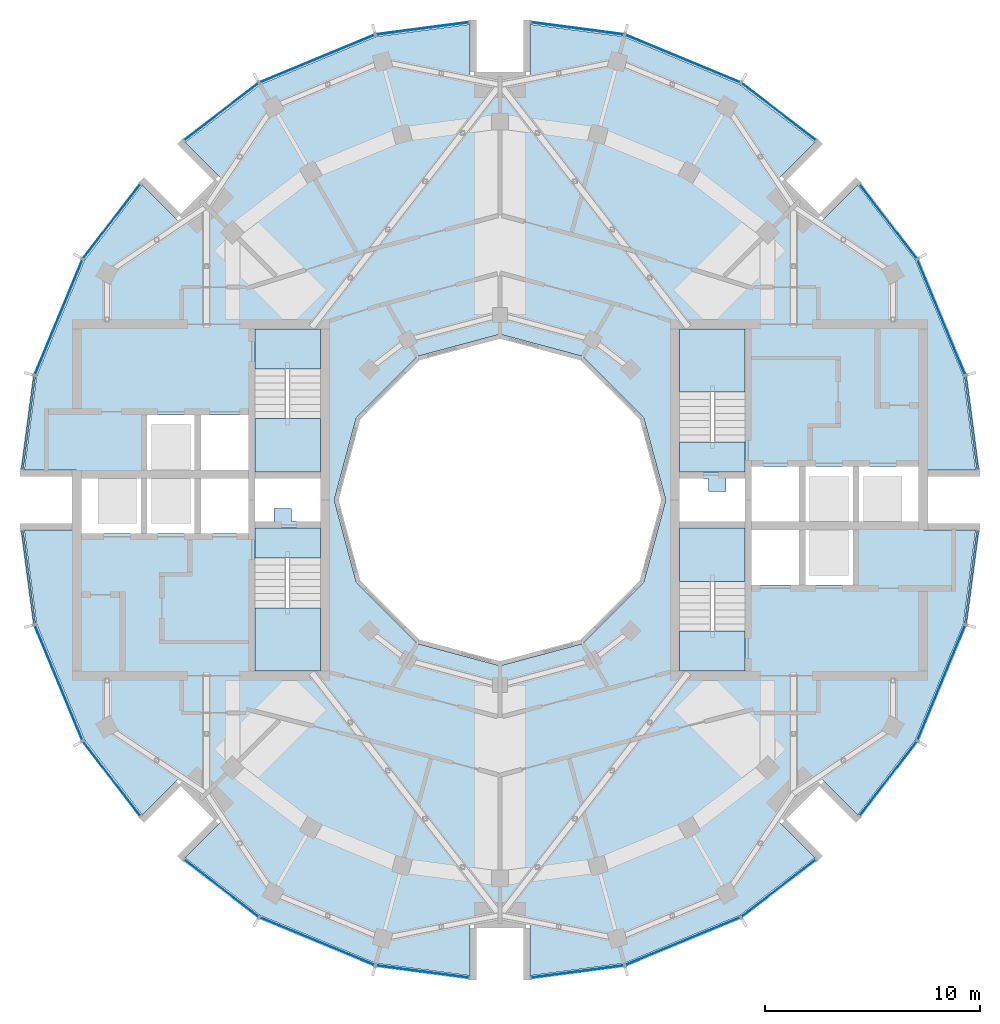
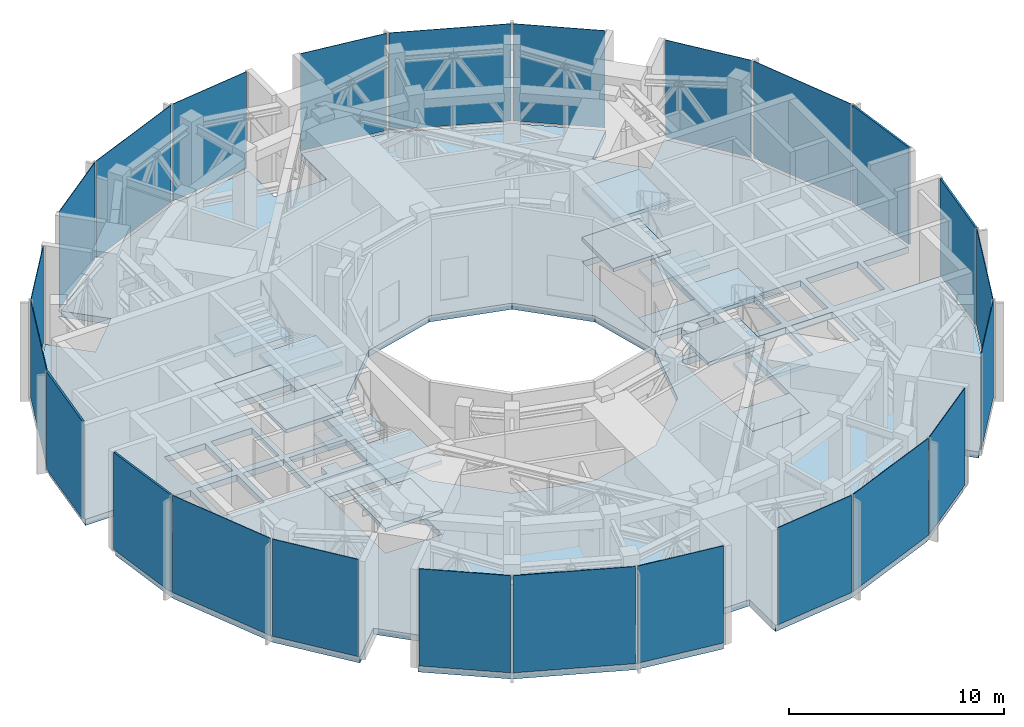
# One storey, part 10 of 17: 24 plates, 17 slabs, 28 elements without a shape of their own.
"""IFC4 building model written with IfcOpenShell, lengths in metres."""

from ifc_helpers import new_model, si_unit, direction, frame, origin, origin_2d, place, context, subcontext, project, spatial, polyline, rectangle, outline, extrude, material, layer, layer_set, type_object, element, aggregate, save


model = new_model("IFC4")

# Units and contexts
model_context = context("Model", 3, precision=1e-05, world=origin(), true_north=direction((0.0, 1.0)))
body_context = subcontext(model_context, "Body", "Model", "MODEL_VIEW")
ifc_project = project(units=[si_unit("LENGTHUNIT", "METRE"), si_unit("AREAUNIT", "SQUARE_METRE"), si_unit("VOLUMEUNIT", "CUBIC_METRE"), si_unit("PLANEANGLEUNIT", "RADIAN"), si_unit("MASSUNIT", "GRAM", prefix="KILO")], contexts=[model_context])

# Site, building, storey
site_placement = place(None, origin())
site = spatial("IfcSite", under=ifc_project, at=site_placement, CompositionType="ELEMENT")
building_placement = place(site_placement, origin())
building = spatial("IfcBuilding", under=site, at=building_placement, Name="Torre Brocal", CompositionType="ELEMENT")
storey_placement = place(building_placement, frame((0.0, 0.0, 309.300048828125)))
storey = spatial("IfcBuildingStorey", under=building, at=storey_placement, Name="L71", CompositionType="ELEMENT", Elevation=309.300048828125)

# Curtain wall, plate
ifc_material_1 = material(Name="Aluminium and glass", Category="aluminium")
ifc_layer_1 = layer(ifc_material_1, 0.199951171875)
ifc_layer_set_1 = layer_set([ifc_layer_1], Name="Aluminium and glass")
curtain_wall_type_1 = type_object("IfcCurtainWallType", Name="CW-1 CURTAIN WALL 5600 HIGH", PredefinedType="NOTDEFINED", material=ifc_layer_set_1)
curtain_wall_1_placement = place(storey_placement, origin())
curtain_wall_1 = element("IfcCurtainWall", 1, at=curtain_wall_1_placement, inside=storey, type_object=curtain_wall_type_1, Name="CW-1 RUN 2", PredefinedType="NOTDEFINED")
ifc_material_2 = material(Name="Aluminium composite panel", Category="aluminium")
ifc_layer_2 = layer(ifc_material_2, 0.031982421875)
ifc_layer_set_2 = layer_set([ifc_layer_2], Name="Aluminium composite panel")
plate_type_1 = type_object("IfcPlateType", Name="CW-1 OPAQUE PANEL 32", PredefinedType="CURTAIN_PANEL", material=ifc_layer_set_2)
plate_1_placement = place(storey_placement, frame((100.51708984375, 83.49853515625, 0.079833984375), z_axis=(0.0, 0.0, 1.0), x_axis=(-0.382683432284, 0.923879532545, 0.0)))
plate_1 = element("IfcPlate", 2, at=plate_1_placement, type_object=plate_type_1, Name="CW1-2 panel 1.1", PredefinedType="CURTAIN_PANEL", context=body_context, shape_type="SweptSolid", body=[
    extrude(rectangle(XDim=5.727294921875, YDim=0.031982421875, at=origin_2d()), origin(), (0.0, 0.0, 1.0), 5.52001953125),
])
aggregate(curtain_wall_1, [plate_1])

curtain_wall_2_placement = place(storey_placement, origin())
curtain_wall_2 = element("IfcCurtainWall", 3, at=curtain_wall_2_placement, inside=storey, type_object=curtain_wall_type_1, Name="CW-1 RUN 3", PredefinedType="NOTDEFINED")
plate_2_placement = place(storey_placement, frame((98.048095703125, 87.958984375, 0.079833984375), z_axis=(0.0, 0.0, 1.0), x_axis=(-0.608761429064, 0.793353340249, 0.0)))
plate_2 = element("IfcPlate", 4, at=plate_2_placement, type_object=plate_type_1, Name="CW1-2 panel 1.1", PredefinedType="CURTAIN_PANEL", context=body_context, shape_type="SweptSolid", body=[
    extrude(rectangle(XDim=4.315185546875, YDim=0.031982421875, at=origin_2d()), origin(), (0.0, 0.0, 1.0), 5.52001953125),
])
aggregate(curtain_wall_2, [plate_2])

curtain_wall_3_placement = place(storey_placement, origin())
curtain_wall_3 = element("IfcCurtainWall", 5, at=curtain_wall_3_placement, inside=storey, type_object=curtain_wall_type_1, Name="CW-1 RUN 4", PredefinedType="NOTDEFINED")
plate_3_placement = place(storey_placement, frame((92.958984375, 93.048095703125, 0.079833984375), z_axis=(0.0, 0.0, 1.0), x_axis=(-0.793353340249, 0.608761429064, 0.0)))
plate_3 = element("IfcPlate", 6, at=plate_3_placement, type_object=plate_type_1, Name="CW1-2 panel 1.1", PredefinedType="CURTAIN_PANEL", context=body_context, shape_type="SweptSolid", body=[
    extrude(rectangle(XDim=4.315185546875, YDim=0.031982421875, at=origin_2d()), origin(), (0.0, 0.0, 1.0), 5.52001953125),
])
aggregate(curtain_wall_3, [plate_3])

curtain_wall_4_placement = place(storey_placement, origin())
curtain_wall_4 = element("IfcCurtainWall", 7, at=curtain_wall_4_placement, inside=storey, type_object=curtain_wall_type_1, Name="CW-1 RUN 5", PredefinedType="NOTDEFINED")
plate_4_placement = place(storey_placement, frame((88.49853515625, 95.51708984375, 0.079833984375), z_axis=(0.0, 0.0, 1.0), x_axis=(-0.923879532545, 0.382683432284, 0.0)))
plate_4 = element("IfcPlate", 8, at=plate_4_placement, type_object=plate_type_1, Name="CW1-2 panel 1.1", PredefinedType="CURTAIN_PANEL", context=body_context, shape_type="SweptSolid", body=[
    extrude(rectangle(XDim=5.727294921875, YDim=0.031982421875, at=origin_2d()), origin(), (0.0, 0.0, 1.0), 5.52001953125),
])
aggregate(curtain_wall_4, [plate_4])

curtain_wall_5_placement = place(storey_placement, origin())
curtain_wall_5 = element("IfcCurtainWall", 9, at=curtain_wall_5_placement, inside=storey, type_object=curtain_wall_type_1, Name="CW-1 RUN 6", PredefinedType="NOTDEFINED")
plate_5_placement = place(storey_placement, frame((83.5986328125, 96.92529296875, 0.079833984375), z_axis=(0.0, 0.0, 1.0), x_axis=(-0.991444861374, 0.13052619222, 0.0)))
plate_5 = element("IfcPlate", 10, at=plate_5_placement, type_object=plate_type_1, Name="CW1-2 panel 1.1", PredefinedType="CURTAIN_PANEL", context=body_context, shape_type="SweptSolid", body=[
    extrude(rectangle(XDim=4.315185546875, YDim=0.031982421875, at=origin_2d()), origin(), (0.0, 0.0, 1.0), 5.52001953125),
])
aggregate(curtain_wall_5, [plate_5])

curtain_wall_6_placement = place(storey_placement, origin())
curtain_wall_6 = element("IfcCurtainWall", 11, at=curtain_wall_6_placement, inside=storey, type_object=curtain_wall_type_1, Name="CW-1 RUN 7", PredefinedType="NOTDEFINED")
plate_6_placement = place(storey_placement, frame((76.4013671875, 96.92529296875, 0.079833984375), z_axis=(0.0, 0.0, 1.0), x_axis=(-0.991444861374, -0.13052619222, 0.0)))
plate_6 = element("IfcPlate", 12, at=plate_6_placement, type_object=plate_type_1, Name="CW1-2 panel 1.1", PredefinedType="CURTAIN_PANEL", context=body_context, shape_type="SweptSolid", body=[
    extrude(rectangle(XDim=4.315185546875, YDim=0.031982421875, at=origin_2d()), origin(), (0.0, 0.0, 1.0), 5.52001953125),
])
aggregate(curtain_wall_6, [plate_6])

curtain_wall_7_placement = place(storey_placement, origin())
curtain_wall_7 = element("IfcCurtainWall", 13, at=curtain_wall_7_placement, inside=storey, type_object=curtain_wall_type_1, Name="CW-1 RUN 8", PredefinedType="NOTDEFINED")
plate_7_placement = place(storey_placement, frame((71.50146484375, 95.51708984375, 0.079833984375), z_axis=(0.0, 0.0, 1.0), x_axis=(-0.923879532545, -0.382683432284, 0.0)))
plate_7 = element("IfcPlate", 14, at=plate_7_placement, type_object=plate_type_1, Name="CW1-2 panel 1.1", PredefinedType="CURTAIN_PANEL", context=body_context, shape_type="SweptSolid", body=[
    extrude(rectangle(XDim=5.727294921875, YDim=0.031982421875, at=origin_2d()), origin(), (0.0, 0.0, 1.0), 5.52001953125),
])
aggregate(curtain_wall_7, [plate_7])

curtain_wall_8_placement = place(storey_placement, origin())
curtain_wall_8 = element("IfcCurtainWall", 15, at=curtain_wall_8_placement, inside=storey, type_object=curtain_wall_type_1, Name="CW-1 RUN 9", PredefinedType="NOTDEFINED")
plate_8_placement = place(storey_placement, frame((67.041015625, 93.048095703125, 0.079833984375), z_axis=(0.0, 0.0, 1.0), x_axis=(-0.793353340249, -0.608761429064, 0.0)))
plate_8 = element("IfcPlate", 16, at=plate_8_placement, type_object=plate_type_1, Name="CW1-2 panel 1.1", PredefinedType="CURTAIN_PANEL", context=body_context, shape_type="SweptSolid", body=[
    extrude(rectangle(XDim=4.315185546875, YDim=0.031982421875, at=origin_2d()), origin(), (0.0, 0.0, 1.0), 5.52001953125),
])
aggregate(curtain_wall_8, [plate_8])

curtain_wall_9_placement = place(storey_placement, origin())
curtain_wall_9 = element("IfcCurtainWall", 17, at=curtain_wall_9_placement, inside=storey, type_object=curtain_wall_type_1, Name="CW-1 RUN 10", PredefinedType="NOTDEFINED")
plate_9_placement = place(storey_placement, frame((61.951904296875, 87.958984375, 0.079833984375), z_axis=(0.0, 0.0, 1.0), x_axis=(-0.608761429064, -0.793353340249, 0.0)))
plate_9 = element("IfcPlate", 18, at=plate_9_placement, type_object=plate_type_1, Name="CW1-2 panel 1.1", PredefinedType="CURTAIN_PANEL", context=body_context, shape_type="SweptSolid", body=[
    extrude(rectangle(XDim=4.315185546875, YDim=0.031982421875, at=origin_2d()), origin(), (0.0, 0.0, 1.0), 5.52001953125),
])
aggregate(curtain_wall_9, [plate_9])

curtain_wall_10_placement = place(storey_placement, origin())
curtain_wall_10 = element("IfcCurtainWall", 19, at=curtain_wall_10_placement, inside=storey, type_object=curtain_wall_type_1, Name="CW-1 RUN 11", PredefinedType="NOTDEFINED")
plate_10_placement = place(storey_placement, frame((59.48291015625, 83.49853515625, 0.079833984375), z_axis=(0.0, 0.0, 1.0), x_axis=(-0.382683432284, -0.923879532545, 0.0)))
plate_10 = element("IfcPlate", 20, at=plate_10_placement, type_object=plate_type_1, Name="CW1-2 panel 1.1", PredefinedType="CURTAIN_PANEL", context=body_context, shape_type="SweptSolid", body=[
    extrude(rectangle(XDim=5.727294921875, YDim=0.031982421875, at=origin_2d()), origin(), (0.0, 0.0, 1.0), 5.52001953125),
])
aggregate(curtain_wall_10, [plate_10])

curtain_wall_11_placement = place(storey_placement, origin())
curtain_wall_11 = element("IfcCurtainWall", 21, at=curtain_wall_11_placement, inside=storey, type_object=curtain_wall_type_1, Name="CW-1 RUN 14", PredefinedType="NOTDEFINED")
plate_11_placement = place(storey_placement, frame((59.48291015625, 66.50146484375, 0.079833984375), z_axis=(0.0, 0.0, 1.0), x_axis=(0.382683432284, -0.923879532545, 0.0)))
plate_11 = element("IfcPlate", 22, at=plate_11_placement, type_object=plate_type_1, Name="CW1-2 panel 1.1", PredefinedType="CURTAIN_PANEL", context=body_context, shape_type="SweptSolid", body=[
    extrude(rectangle(XDim=5.727294921875, YDim=0.031982421875, at=origin_2d()), origin(), (0.0, 0.0, 1.0), 5.52001953125),
])
aggregate(curtain_wall_11, [plate_11])

curtain_wall_12_placement = place(storey_placement, origin())
curtain_wall_12 = element("IfcCurtainWall", 23, at=curtain_wall_12_placement, inside=storey, type_object=curtain_wall_type_1, Name="CW-1 RUN 15", PredefinedType="NOTDEFINED")
plate_12_placement = place(storey_placement, frame((61.951904296875, 62.041015625, 0.079833984375), z_axis=(0.0, 0.0, 1.0), x_axis=(0.608761429064, -0.793353340249, 0.0)))
plate_12 = element("IfcPlate", 24, at=plate_12_placement, type_object=plate_type_1, Name="CW1-2 panel 1.1", PredefinedType="CURTAIN_PANEL", context=body_context, shape_type="SweptSolid", body=[
    extrude(rectangle(XDim=4.315185546875, YDim=0.031982421875, at=origin_2d()), origin(), (0.0, 0.0, 1.0), 5.52001953125),
])
aggregate(curtain_wall_12, [plate_12])

curtain_wall_13_placement = place(storey_placement, origin())
curtain_wall_13 = element("IfcCurtainWall", 25, at=curtain_wall_13_placement, inside=storey, type_object=curtain_wall_type_1, Name="CW-1 RUN 16", PredefinedType="NOTDEFINED")
plate_13_placement = place(storey_placement, frame((67.041015625, 56.951904296875, 0.079833984375), z_axis=(0.0, 0.0, 1.0), x_axis=(0.793353340249, -0.608761429064, 0.0)))
plate_13 = element("IfcPlate", 26, at=plate_13_placement, type_object=plate_type_1, Name="CW1-2 panel 1.1", PredefinedType="CURTAIN_PANEL", context=body_context, shape_type="SweptSolid", body=[
    extrude(rectangle(XDim=4.315185546875, YDim=0.031982421875, at=origin_2d()), origin(), (0.0, 0.0, 1.0), 5.52001953125),
])
aggregate(curtain_wall_13, [plate_13])

curtain_wall_14_placement = place(storey_placement, origin())
curtain_wall_14 = element("IfcCurtainWall", 27, at=curtain_wall_14_placement, inside=storey, type_object=curtain_wall_type_1, Name="CW-1 RUN 17", PredefinedType="NOTDEFINED")
plate_14_placement = place(storey_placement, frame((71.50146484375, 54.48291015625, 0.079833984375), z_axis=(0.0, 0.0, 1.0), x_axis=(0.923879532545, -0.382683432284, 0.0)))
plate_14 = element("IfcPlate", 28, at=plate_14_placement, type_object=plate_type_1, Name="CW1-2 panel 1.1", PredefinedType="CURTAIN_PANEL", context=body_context, shape_type="SweptSolid", body=[
    extrude(rectangle(XDim=5.727294921875, YDim=0.031982421875, at=origin_2d()), origin(), (0.0, 0.0, 1.0), 5.52001953125),
])
aggregate(curtain_wall_14, [plate_14])

curtain_wall_15_placement = place(storey_placement, origin())
curtain_wall_15 = element("IfcCurtainWall", 29, at=curtain_wall_15_placement, inside=storey, type_object=curtain_wall_type_1, Name="CW-1 RUN 18", PredefinedType="NOTDEFINED")
plate_15_placement = place(storey_placement, frame((76.4013671875, 53.07470703125, 0.079833984375), z_axis=(0.0, 0.0, 1.0), x_axis=(0.991444861374, -0.13052619222, 0.0)))
plate_15 = element("IfcPlate", 30, at=plate_15_placement, type_object=plate_type_1, Name="CW1-2 panel 1.1", PredefinedType="CURTAIN_PANEL", context=body_context, shape_type="SweptSolid", body=[
    extrude(rectangle(XDim=4.315185546875, YDim=0.031982421875, at=origin_2d()), origin(), (0.0, 0.0, 1.0), 5.52001953125),
])
aggregate(curtain_wall_15, [plate_15])

curtain_wall_16_placement = place(storey_placement, origin())
curtain_wall_16 = element("IfcCurtainWall", 31, at=curtain_wall_16_placement, inside=storey, type_object=curtain_wall_type_1, Name="CW-1 RUN 19", PredefinedType="NOTDEFINED")
plate_16_placement = place(storey_placement, frame((83.5986328125, 53.07470703125, 0.079833984375), z_axis=(0.0, 0.0, 1.0), x_axis=(0.991444861374, 0.13052619222, 0.0)))
plate_16 = element("IfcPlate", 32, at=plate_16_placement, type_object=plate_type_1, Name="CW1-2 panel 1.1", PredefinedType="CURTAIN_PANEL", context=body_context, shape_type="SweptSolid", body=[
    extrude(rectangle(XDim=4.315185546875, YDim=0.031982421875, at=origin_2d()), origin(), (0.0, 0.0, 1.0), 5.52001953125),
])
aggregate(curtain_wall_16, [plate_16])

curtain_wall_17_placement = place(storey_placement, origin())
curtain_wall_17 = element("IfcCurtainWall", 33, at=curtain_wall_17_placement, inside=storey, type_object=curtain_wall_type_1, Name="CW-1 RUN 20", PredefinedType="NOTDEFINED")
plate_17_placement = place(storey_placement, frame((88.49853515625, 54.48291015625, 0.079833984375), z_axis=(0.0, 0.0, 1.0), x_axis=(0.923879532545, 0.382683432284, 0.0)))
plate_17 = element("IfcPlate", 34, at=plate_17_placement, type_object=plate_type_1, Name="CW1-2 panel 1.1", PredefinedType="CURTAIN_PANEL", context=body_context, shape_type="SweptSolid", body=[
    extrude(rectangle(XDim=5.727294921875, YDim=0.031982421875, at=origin_2d()), origin(), (0.0, 0.0, 1.0), 5.52001953125),
])
aggregate(curtain_wall_17, [plate_17])

curtain_wall_18_placement = place(storey_placement, origin())
curtain_wall_18 = element("IfcCurtainWall", 35, at=curtain_wall_18_placement, inside=storey, type_object=curtain_wall_type_1, Name="CW-1 RUN 21", PredefinedType="NOTDEFINED")
plate_18_placement = place(storey_placement, frame((92.958984375, 56.951904296875, 0.079833984375), z_axis=(0.0, 0.0, 1.0), x_axis=(0.793353340249, 0.608761429064, 0.0)))
plate_18 = element("IfcPlate", 36, at=plate_18_placement, type_object=plate_type_1, Name="CW1-2 panel 1.1", PredefinedType="CURTAIN_PANEL", context=body_context, shape_type="SweptSolid", body=[
    extrude(rectangle(XDim=4.315185546875, YDim=0.031982421875, at=origin_2d()), origin(), (0.0, 0.0, 1.0), 5.52001953125),
])
aggregate(curtain_wall_18, [plate_18])

curtain_wall_19_placement = place(storey_placement, origin())
curtain_wall_19 = element("IfcCurtainWall", 37, at=curtain_wall_19_placement, inside=storey, type_object=curtain_wall_type_1, Name="CW-1 RUN 22", PredefinedType="NOTDEFINED")
plate_19_placement = place(storey_placement, frame((98.048095703125, 62.041015625, 0.079833984375), z_axis=(0.0, 0.0, 1.0), x_axis=(0.608761429064, 0.793353340249, 0.0)))
plate_19 = element("IfcPlate", 38, at=plate_19_placement, type_object=plate_type_1, Name="CW1-2 panel 1.1", PredefinedType="CURTAIN_PANEL", context=body_context, shape_type="SweptSolid", body=[
    extrude(rectangle(XDim=4.315185546875, YDim=0.031982421875, at=origin_2d()), origin(), (0.0, 0.0, 1.0), 5.52001953125),
])
aggregate(curtain_wall_19, [plate_19])

curtain_wall_20_placement = place(storey_placement, origin())
curtain_wall_20 = element("IfcCurtainWall", 39, at=curtain_wall_20_placement, inside=storey, type_object=curtain_wall_type_1, Name="CW-1 RUN 23", PredefinedType="NOTDEFINED")
plate_20_placement = place(storey_placement, frame((100.51708984375, 66.50146484375, 0.079833984375), z_axis=(0.0, 0.0, 1.0), x_axis=(0.382683432284, 0.923879532545, 0.0)))
plate_20 = element("IfcPlate", 40, at=plate_20_placement, type_object=plate_type_1, Name="CW1-2 panel 1.1", PredefinedType="CURTAIN_PANEL", context=body_context, shape_type="SweptSolid", body=[
    extrude(rectangle(XDim=5.727294921875, YDim=0.031982421875, at=origin_2d()), origin(), (0.0, 0.0, 1.0), 5.52001953125),
])
aggregate(curtain_wall_20, [plate_20])

ifc_material_3 = material(Name="Aluminium and glass", Category="aluminium")
ifc_layer_3 = layer(ifc_material_3, 0.199951171875)
ifc_layer_set_3 = layer_set([ifc_layer_3], Name="Aluminium and glass")
curtain_wall_type_2 = type_object("IfcCurtainWallType", Name="CW-1B CURTAIN WALL 5600 HIGH", PredefinedType="NOTDEFINED", material=ifc_layer_set_3)
curtain_wall_21_placement = place(storey_placement, origin())
curtain_wall_21 = element("IfcCurtainWall", 41, at=curtain_wall_21_placement, inside=storey, type_object=curtain_wall_type_2, Name="CW-1B RUN 1", PredefinedType="NOTDEFINED")
ifc_material_4 = material(Name="Aluminium composite panel", Category="aluminium")
ifc_layer_4 = layer(ifc_material_4, 0.10009765625)
ifc_layer_set_4 = layer_set([ifc_layer_4], Name="Aluminium composite panel")
plate_type_2 = type_object("IfcPlateType", Name="CW-1B OPAQUE PANEL 100", PredefinedType="CURTAIN_PANEL", material=ifc_layer_set_4)
plate_21_placement = place(storey_placement, frame((101.92529296875, 78.5986328125, 0.079833984375), z_axis=(0.0, 0.0, 1.0), x_axis=(-0.13052619222, 0.991444861374, 0.0)))
plate_21 = element("IfcPlate", 42, at=plate_21_placement, type_object=plate_type_2, Name="CW1B-2 panel 1.1", PredefinedType="CURTAIN_PANEL", context=body_context, shape_type="SweptSolid", body=[
    extrude(rectangle(XDim=4.315185546875, YDim=0.10009765625, at=origin_2d()), origin(), (0.0, 0.0, 1.0), 5.52001953125),
])
aggregate(curtain_wall_21, [plate_21])

curtain_wall_22_placement = place(storey_placement, origin())
curtain_wall_22 = element("IfcCurtainWall", 43, at=curtain_wall_22_placement, inside=storey, type_object=curtain_wall_type_2, Name="CW-1B RUN 12", PredefinedType="NOTDEFINED")
plate_22_placement = place(storey_placement, frame((58.07470703125, 78.5986328125, 0.079833984375), z_axis=(0.0, 0.0, 1.0), x_axis=(-0.13052619222, -0.991444861374, 0.0)))
plate_22 = element("IfcPlate", 44, at=plate_22_placement, type_object=plate_type_2, Name="CW1B-2 panel 1.1", PredefinedType="CURTAIN_PANEL", context=body_context, shape_type="SweptSolid", body=[
    extrude(rectangle(XDim=4.315185546875, YDim=0.10009765625, at=origin_2d()), origin(), (0.0, 0.0, 1.0), 5.52001953125),
])
aggregate(curtain_wall_22, [plate_22])

curtain_wall_23_placement = place(storey_placement, origin())
curtain_wall_23 = element("IfcCurtainWall", 45, at=curtain_wall_23_placement, inside=storey, type_object=curtain_wall_type_2, Name="CW-1B RUN 13", PredefinedType="NOTDEFINED")
plate_23_placement = place(storey_placement, frame((58.07470703125, 71.4013671875, 0.079833984375), z_axis=(0.0, 0.0, 1.0), x_axis=(0.13052619222, -0.991444861374, 0.0)))
plate_23 = element("IfcPlate", 46, at=plate_23_placement, type_object=plate_type_2, Name="CW1B-2 panel 1.1", PredefinedType="CURTAIN_PANEL", context=body_context, shape_type="SweptSolid", body=[
    extrude(rectangle(XDim=4.315185546875, YDim=0.10009765625, at=origin_2d()), origin(), (0.0, 0.0, 1.0), 5.52001953125),
])
aggregate(curtain_wall_23, [plate_23])

curtain_wall_24_placement = place(storey_placement, origin())
curtain_wall_24 = element("IfcCurtainWall", 47, at=curtain_wall_24_placement, inside=storey, type_object=curtain_wall_type_2, Name="CW-1B RUN 24", PredefinedType="NOTDEFINED")
plate_24_placement = place(storey_placement, frame((101.92529296875, 71.4013671875, 0.079833984375), z_axis=(0.0, 0.0, 1.0), x_axis=(0.13052619222, 0.991444861374, 0.0)))
plate_24 = element("IfcPlate", 48, at=plate_24_placement, type_object=plate_type_2, Name="CW1B-2 panel 1.1", PredefinedType="CURTAIN_PANEL", context=body_context, shape_type="SweptSolid", body=[
    extrude(rectangle(XDim=4.315185546875, YDim=0.10009765625, at=origin_2d()), origin(), (0.0, 0.0, 1.0), 5.52001953125),
])
aggregate(curtain_wall_24, [plate_24])

# Stair, slab
ifc_material_5 = material(Name="Concrete C50", Category="concrete")
stair_type = type_object("IfcStairType", Name="EXIT STAIR", PredefinedType="HALF_TURN_STAIR", material=ifc_material_5)
stair_1_placement = place(storey_placement, origin())
stair_1 = element("IfcStair", 49, at=stair_1_placement, inside=storey, type_object=stair_type, Name="EXIT STAIR ST1", PredefinedType="HALF_TURN_STAIR")
ifc_material_6 = material(Name="Concrete C50", Category="concrete")
ifc_layer_5 = layer(ifc_material_6, 0.35009765625)
ifc_layer_set_5 = layer_set([ifc_layer_5], Name="Concrete C50")
slab_type_1 = type_object("IfcSlabType", Name="FLOOR LANDING 350", PredefinedType="LANDING", material=ifc_layer_set_5)
slab_1_placement = place(storey_placement, frame((0.0, 0.0, -0.35009765625)))
slab_1 = element("IfcSlab", 50, at=slab_1_placement, type_object=slab_type_1, Name="ST1 landing 1", PredefinedType="LANDING", context=body_context, shape_type="SweptSolid", body=[
    extrude(outline(polyline([(88.35009765625, 76.300048828125), (91.39990234375, 76.300048828125), (91.39990234375, 77.699951171875), (88.35009765625, 77.699951171875), (88.35009765625, 76.300048828125)])), origin(), (0.0, 0.0, 1.0), 0.35009765625),
])

stair_2_placement = place(storey_placement, origin())
stair_2 = element("IfcStair", 51, at=stair_2_placement, inside=storey, type_object=stair_type, Name="EXIT STAIR ST2", PredefinedType="HALF_TURN_STAIR")
slab_2_placement = place(storey_placement, frame((0.0, 0.0, -0.35009765625)))
slab_2 = element("IfcSlab", 52, at=slab_2_placement, type_object=slab_type_1, Name="ST2 landing 1", PredefinedType="LANDING", context=body_context, shape_type="SweptSolid", body=[
    extrude(outline(polyline([(88.35009765625, 67.050048828125), (91.39990234375, 67.050048828125), (91.39990234375, 68.89990234375), (88.35009765625, 68.89990234375), (88.35009765625, 67.050048828125)])), origin(), (0.0, 0.0, 1.0), 0.35009765625),
])

stair_3_placement = place(storey_placement, origin())
stair_3 = element("IfcStair", 53, at=stair_3_placement, inside=storey, type_object=stair_type, Name="EXIT STAIR ST3", PredefinedType="HALF_TURN_STAIR")
slab_3_placement = place(storey_placement, frame((0.0, 0.0, -0.35009765625)))
slab_3 = element("IfcSlab", 54, at=slab_3_placement, type_object=slab_type_1, Name="ST3 landing 1", PredefinedType="LANDING", context=body_context, shape_type="SweptSolid", body=[
    extrude(outline(polyline([(71.64990234375, 73.699951171875), (68.60009765625, 73.699951171875), (68.60009765625, 72.300048828125), (71.64990234375, 72.300048828125), (71.64990234375, 73.699951171875)])), origin(), (0.0, 0.0, 1.0), 0.35009765625),
])

stair_4_placement = place(storey_placement, origin())
stair_4 = element("IfcStair", 55, at=stair_4_placement, inside=storey, type_object=stair_type, Name="EXIT STAIR ST4", PredefinedType="HALF_TURN_STAIR")
slab_4_placement = place(storey_placement, frame((0.0, 0.0, -0.35009765625)))
slab_4 = element("IfcSlab", 56, at=slab_4_placement, type_object=slab_type_1, Name="ST4 landing 1", PredefinedType="LANDING", context=body_context, shape_type="SweptSolid", body=[
    extrude(outline(polyline([(71.64990234375, 82.949951171875), (68.60009765625, 82.949951171875), (68.60009765625, 81.10009765625), (71.64990234375, 81.10009765625), (71.64990234375, 82.949951171875)])), origin(), (0.0, 0.0, 1.0), 0.35009765625),
])

# Slab
ifc_material_7 = material(Name="Concrete C50", Category="concrete")
ifc_layer_6 = layer(ifc_material_7, 0.199951171875)
ifc_layer_set_6 = layer_set([ifc_layer_6], Name="Concrete C50")
slab_type_2 = type_object("IfcSlabType", Name="MID LANDING +1400", PredefinedType="LANDING", material=ifc_layer_set_6)
slab_5_placement = place(storey_placement, frame((0.0, 0.0, 1.199951171875)))
slab_5 = element("IfcSlab", 57, at=slab_5_placement, type_object=slab_type_2, Name="ST1 landing 2", PredefinedType="LANDING", context=body_context, shape_type="SweptSolid", body=[
    extrude(outline(polyline([(88.35009765625, 80.010009765625), (91.39990234375, 80.010009765625), (91.39990234375, 82.949951171875), (88.35009765625, 82.949951171875), (88.35009765625, 80.010009765625)])), origin(), (0.0, 0.0, 1.0), 0.199951171875),
])

slab_6_placement = place(storey_placement, frame((0.0, 0.0, 1.199951171875)))
slab_6 = element("IfcSlab", 58, at=slab_6_placement, type_object=slab_type_2, Name="ST2 landing 2", PredefinedType="LANDING", context=body_context, shape_type="SweptSolid", body=[
    extrude(outline(polyline([(88.35009765625, 71.2099609375), (91.39990234375, 71.2099609375), (91.39990234375, 73.699951171875), (88.35009765625, 73.699951171875), (88.35009765625, 71.2099609375)])), origin(), (0.0, 0.0, 1.0), 0.199951171875),
])

slab_7_placement = place(storey_placement, frame((0.0, 0.0, 1.199951171875)))
slab_7 = element("IfcSlab", 59, at=slab_7_placement, type_object=slab_type_2, Name="ST3 landing 2", PredefinedType="LANDING", context=body_context, shape_type="SweptSolid", body=[
    extrude(outline(polyline([(71.64990234375, 69.989990234375), (68.60009765625, 69.989990234375), (68.60009765625, 67.050048828125), (71.64990234375, 67.050048828125), (71.64990234375, 69.989990234375)])), origin(), (0.0, 0.0, 1.0), 0.199951171875),
])

slab_8_placement = place(storey_placement, frame((0.0, 0.0, 1.199951171875)))
slab_8 = element("IfcSlab", 60, at=slab_8_placement, type_object=slab_type_2, Name="ST4 landing 2", PredefinedType="LANDING", context=body_context, shape_type="SweptSolid", body=[
    extrude(outline(polyline([(71.64990234375, 78.7900390625), (68.60009765625, 78.7900390625), (68.60009765625, 76.300048828125), (71.64990234375, 76.300048828125), (71.64990234375, 78.7900390625)])), origin(), (0.0, 0.0, 1.0), 0.199951171875),
])

ifc_material_8 = material(Name="Concrete C50", Category="concrete")
ifc_layer_7 = layer(ifc_material_8, 0.199951171875)
ifc_layer_set_7 = layer_set([ifc_layer_7], Name="Concrete C50")
slab_type_3 = type_object("IfcSlabType", Name="MID LANDING +2800", PredefinedType="LANDING", material=ifc_layer_set_7)
slab_9_placement = place(storey_placement, frame((0.0, 0.0, 2.599853515625)))
slab_9 = element("IfcSlab", 61, at=slab_9_placement, type_object=slab_type_3, Name="ST1 landing 3", PredefinedType="LANDING", context=body_context, shape_type="SweptSolid", body=[
    extrude(outline(polyline([(88.35009765625, 76.300048828125), (91.39990234375, 76.300048828125), (91.39990234375, 77.699951171875), (88.35009765625, 77.699951171875), (88.35009765625, 76.300048828125)])), origin(), (0.0, 0.0, 1.0), 0.2001953125),
])

slab_10_placement = place(storey_placement, frame((0.0, 0.0, 2.599853515625)))
slab_10 = element("IfcSlab", 62, at=slab_10_placement, type_object=slab_type_3, Name="ST2 landing 3", PredefinedType="LANDING", context=body_context, shape_type="SweptSolid", body=[
    extrude(outline(polyline([(88.35009765625, 67.050048828125), (91.39990234375, 67.050048828125), (91.39990234375, 68.89990234375), (88.35009765625, 68.89990234375), (88.35009765625, 67.050048828125)])), origin(), (0.0, 0.0, 1.0), 0.2001953125),
])

slab_11_placement = place(storey_placement, frame((0.0, 0.0, 2.599853515625)))
slab_11 = element("IfcSlab", 63, at=slab_11_placement, type_object=slab_type_3, Name="ST3 landing 3", PredefinedType="LANDING", context=body_context, shape_type="SweptSolid", body=[
    extrude(outline(polyline([(71.64990234375, 73.699951171875), (68.60009765625, 73.699951171875), (68.60009765625, 72.300048828125), (71.64990234375, 72.300048828125), (71.64990234375, 73.699951171875)])), origin(), (0.0, 0.0, 1.0), 0.2001953125),
])

slab_12_placement = place(storey_placement, frame((0.0, 0.0, 2.599853515625)))
slab_12 = element("IfcSlab", 64, at=slab_12_placement, type_object=slab_type_3, Name="ST4 landing 3", PredefinedType="LANDING", context=body_context, shape_type="SweptSolid", body=[
    extrude(outline(polyline([(71.64990234375, 82.949951171875), (68.60009765625, 82.949951171875), (68.60009765625, 81.10009765625), (71.64990234375, 81.10009765625), (71.64990234375, 82.949951171875)])), origin(), (0.0, 0.0, 1.0), 0.2001953125),
])

ifc_material_9 = material(Name="Concrete C50", Category="concrete")
ifc_layer_8 = layer(ifc_material_9, 0.199951171875)
ifc_layer_set_8 = layer_set([ifc_layer_8], Name="Concrete C50")
slab_type_4 = type_object("IfcSlabType", Name="MID LANDING +4200", PredefinedType="LANDING", material=ifc_layer_set_8)
slab_13_placement = place(storey_placement, frame((0.0, 0.0, 4.0)))
slab_13 = element("IfcSlab", 65, at=slab_13_placement, type_object=slab_type_4, Name="ST1 landing 4", PredefinedType="LANDING", context=body_context, shape_type="SweptSolid", body=[
    extrude(outline(polyline([(88.35009765625, 80.010009765625), (91.39990234375, 80.010009765625), (91.39990234375, 82.949951171875), (88.35009765625, 82.949951171875), (88.35009765625, 80.010009765625)])), origin(), (0.0, 0.0, 1.0), 0.199951171875),
])

aggregate(stair_1, [slab_1, slab_5, slab_9, slab_13])

slab_14_placement = place(storey_placement, frame((0.0, 0.0, 4.0)))
slab_14 = element("IfcSlab", 66, at=slab_14_placement, type_object=slab_type_4, Name="ST2 landing 4", PredefinedType="LANDING", context=body_context, shape_type="SweptSolid", body=[
    extrude(outline(polyline([(88.35009765625, 71.2099609375), (91.39990234375, 71.2099609375), (91.39990234375, 73.699951171875), (88.35009765625, 73.699951171875), (88.35009765625, 71.2099609375)])), origin(), (0.0, 0.0, 1.0), 0.199951171875),
])

aggregate(stair_2, [slab_2, slab_6, slab_10, slab_14])

slab_15_placement = place(storey_placement, frame((0.0, 0.0, 4.0)))
slab_15 = element("IfcSlab", 67, at=slab_15_placement, type_object=slab_type_4, Name="ST3 landing 4", PredefinedType="LANDING", context=body_context, shape_type="SweptSolid", body=[
    extrude(outline(polyline([(71.64990234375, 69.989990234375), (68.60009765625, 69.989990234375), (68.60009765625, 67.050048828125), (71.64990234375, 67.050048828125), (71.64990234375, 69.989990234375)])), origin(), (0.0, 0.0, 1.0), 0.199951171875),
])

aggregate(stair_3, [slab_3, slab_7, slab_11, slab_15])

slab_16_placement = place(storey_placement, frame((0.0, 0.0, 4.0)))
slab_16 = element("IfcSlab", 68, at=slab_16_placement, type_object=slab_type_4, Name="ST4 landing 4", PredefinedType="LANDING", context=body_context, shape_type="SweptSolid", body=[
    extrude(outline(polyline([(71.64990234375, 78.7900390625), (68.60009765625, 78.7900390625), (68.60009765625, 76.300048828125), (71.64990234375, 76.300048828125), (71.64990234375, 78.7900390625)])), origin(), (0.0, 0.0, 1.0), 0.199951171875),
])

aggregate(stair_4, [slab_4, slab_8, slab_12, slab_16])

ifc_material_10 = material(Name="Concrete C45", Category="concrete")
ifc_layer_9 = layer(ifc_material_10, 0.35009765625)
ifc_layer_set_9 = layer_set([ifc_layer_9], Name="Concrete C45")
slab_type_5 = type_object("IfcSlabType", Name="PT FLOOR SLAB 350 C45", PredefinedType="FLOOR", material=ifc_layer_set_9)
slab_17_placement = place(storey_placement, frame((0.0, 0.0, -0.35009765625)))
element("IfcSlab", 69, at=slab_17_placement, inside=storey, type_object=slab_type_5, Name="Slab ST-11", PredefinedType="FLOOR", context=body_context, shape_type="SweptSolid", body=[
    extrude(outline(polyline([(99.699951171875, 76.39990234375), (99.699951171875, 73.60009765625), (102.114013671875, 73.60009765625), (101.53857421875, 69.228759765625), (99.310791015625, 63.850830078125), (96.626953125, 60.35302734375), (94.919921875, 62.06005859375), (92.93994140625, 60.080078125), (94.64697265625, 58.373046875), (91.149169921875, 55.689208984375), (85.771240234375, 53.46142578125), (81.39990234375, 52.885986328125), (81.39990234375, 55.300048828125), (78.60009765625, 55.300048828125), (78.60009765625, 52.885986328125), (74.228759765625, 53.46142578125), (68.850830078125, 55.689208984375), (65.35302734375, 58.373046875), (67.06005859375, 60.080078125), (65.080078125, 62.06005859375), (63.373046875, 60.35302734375), (60.689208984375, 63.850830078125), (58.46142578125, 69.228759765625), (57.885986328125, 73.60009765625), (60.300048828125, 73.60009765625), (60.300048828125, 76.39990234375), (57.885986328125, 76.39990234375), (58.46142578125, 80.771240234375), (60.689208984375, 86.149169921875), (63.373046875, 89.64697265625), (65.080078125, 87.93994140625), (67.06005859375, 89.919921875), (65.35302734375, 91.626953125), (68.850830078125, 94.310791015625), (74.228759765625, 96.53857421875), (78.60009765625, 97.114013671875), (78.60009765625, 94.699951171875), (81.39990234375, 94.699951171875), (81.39990234375, 97.114013671875), (85.771240234375, 96.53857421875), (91.149169921875, 94.310791015625), (94.64697265625, 91.626953125), (92.93994140625, 89.919921875), (94.919921875, 87.93994140625), (96.626953125, 89.64697265625), (99.310791015625, 86.149169921875), (101.53857421875, 80.771240234375), (102.114013671875, 76.39990234375), (99.699951171875, 76.39990234375)]), holes=[polyline([(99.449951171875, 76.550048828125), (96.699951171875, 76.550048828125), (96.699951171875, 74.0), (99.449951171875, 74.0), (99.449951171875, 76.550048828125)]), polyline([(96.39990234375, 76.550048828125), (94.199951171875, 76.550048828125), (94.199951171875, 74.0), (96.39990234375, 74.0), (96.39990234375, 76.550048828125)]), polyline([(96.39990234375, 73.60009765625), (94.199951171875, 73.60009765625), (94.199951171875, 71.050048828125), (96.39990234375, 71.050048828125), (96.39990234375, 73.60009765625)]), polyline([(93.89990234375, 76.550048828125), (91.699951171875, 76.550048828125), (91.699951171875, 74.0), (93.89990234375, 74.0), (93.89990234375, 76.550048828125)]), polyline([(93.89990234375, 73.60009765625), (91.699951171875, 73.60009765625), (91.699951171875, 71.050048828125), (93.89990234375, 71.050048828125), (93.89990234375, 73.60009765625)]), polyline([(89.699951171875, 76.0), (88.35009765625, 76.0), (88.35009765625, 74.0), (91.39990234375, 74.0), (91.39990234375, 76.0), (90.5, 76.0), (90.5, 75.39990234375), (89.699951171875, 75.39990234375), (89.699951171875, 76.0)]), polyline([(91.39990234375, 82.949951171875), (88.35009765625, 82.949951171875), (88.35009765625, 76.300048828125), (91.39990234375, 76.300048828125), (91.39990234375, 82.949951171875)]), polyline([(91.39990234375, 73.699951171875), (88.35009765625, 73.699951171875), (88.35009765625, 67.050048828125), (91.39990234375, 67.050048828125), (91.39990234375, 73.699951171875)]), polyline([(80.0, 82.70703125), (76.146484375, 81.674560546875), (73.325439453125, 78.853515625), (72.29296875, 75.0), (73.325439453125, 71.146484375), (76.146484375, 68.325439453125), (80.0, 67.29296875), (83.853515625, 68.325439453125), (86.674560546875, 71.146484375), (87.70703125, 75.0), (86.674560546875, 78.853515625), (83.853515625, 81.674560546875), (80.0, 82.70703125)]), polyline([(70.300048828125, 74.0), (71.64990234375, 74.0), (71.64990234375, 76.0), (68.60009765625, 76.0), (68.60009765625, 74.0), (69.5, 74.0), (69.5, 74.60009765625), (70.300048828125, 74.60009765625), (70.300048828125, 74.0)]), polyline([(68.60009765625, 76.300048828125), (71.64990234375, 76.300048828125), (71.64990234375, 82.949951171875), (68.60009765625, 82.949951171875), (68.60009765625, 76.300048828125)]), polyline([(68.60009765625, 67.050048828125), (71.64990234375, 67.050048828125), (71.64990234375, 73.699951171875), (68.60009765625, 73.699951171875), (68.60009765625, 67.050048828125)]), polyline([(66.10009765625, 76.39990234375), (68.300048828125, 76.39990234375), (68.300048828125, 78.949951171875), (66.10009765625, 78.949951171875), (66.10009765625, 76.39990234375)]), polyline([(66.10009765625, 73.449951171875), (68.300048828125, 73.449951171875), (68.300048828125, 76.0), (66.10009765625, 76.0), (66.10009765625, 73.449951171875)]), polyline([(63.60009765625, 76.39990234375), (65.800048828125, 76.39990234375), (65.800048828125, 78.949951171875), (63.60009765625, 78.949951171875), (63.60009765625, 76.39990234375)]), polyline([(63.60009765625, 73.449951171875), (65.800048828125, 73.449951171875), (65.800048828125, 76.0), (63.60009765625, 76.0), (63.60009765625, 73.449951171875)]), polyline([(60.550048828125, 73.449951171875), (63.300048828125, 73.449951171875), (63.300048828125, 76.0), (60.550048828125, 76.0), (60.550048828125, 73.449951171875)])]), origin(), (0.0, 0.0, 1.0), 0.35009765625),
])

save(model, "model.ifc")
